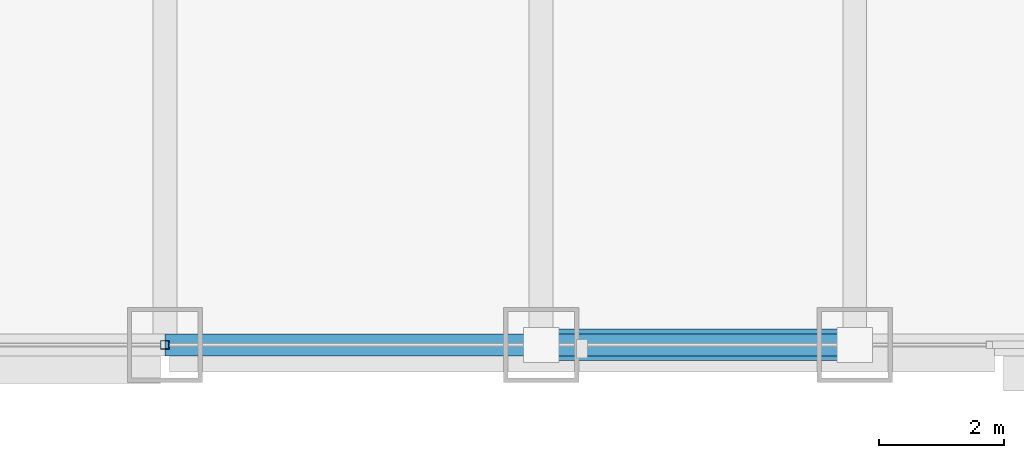
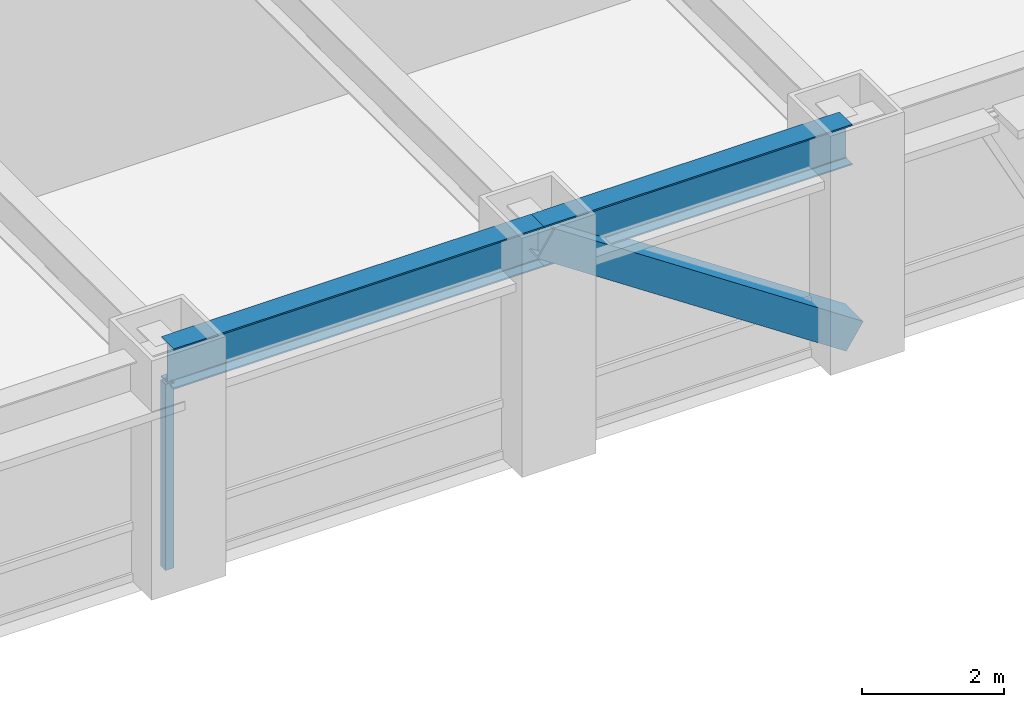
# One storey, part 4 of 32: 2 beams, 2 members, 1 element without a shape of its own.
"""IFC4 building model written with IfcOpenShell, lengths in metres."""

from ifc_helpers import new_model, si_unit, direction, frame, origin, origin_2d, place, context, subcontext, project, spatial, hollow_rectangle, i_section, extrude, source, transform, mapped, material, material_profile, profile_set, type_object, element, aggregate, save


model = new_model("IFC4")

# Units and contexts
model_context = context("Model", 3, precision=1e-05, world=origin(), true_north=direction((0.0, 1.0)))
body_context = subcontext(model_context, "Body", "Model", "MODEL_VIEW")
ifc_project = project(units=[si_unit("LENGTHUNIT", "METRE"), si_unit("AREAUNIT", "SQUARE_METRE"), si_unit("VOLUMEUNIT", "CUBIC_METRE"), si_unit("PLANEANGLEUNIT", "RADIAN"), si_unit("MASSUNIT", "GRAM", prefix="KILO")], contexts=[model_context])

# Site, building, storey
site_placement = place(None, origin())
site = spatial("IfcSite", under=ifc_project, at=site_placement, CompositionType="ELEMENT")
building_placement = place(site_placement, origin())
building = spatial("IfcBuilding", under=site, at=building_placement, Name="Khorayat Bourse Tower", CompositionType="ELEMENT")
storey_placement = place(building_placement, frame((0.0, 0.0, 95.5)))
storey = spatial("IfcBuildingStorey", under=building, at=storey_placement, Name="L21", CompositionType="ELEMENT", Elevation=95.5)

# Beams
ifc_material_1 = material(Name="Steel ASTM A992 Grade 50", Category="steel")
ifc_material_profile_1 = material_profile(ifc_material_1, i_section(OverallWidth=0.35498046875, OverallDepth=0.695068359375, WebThickness=0.015380859375, FlangeThickness=0.02490234375, FilletRadius=0.01806640625, at=origin_2d()), Name="W690X217")
ifc_profile_set_1 = profile_set([ifc_material_profile_1], Name="Steel ASTM A992 Grade 50")
beam_type = type_object("IfcBeamType", Name="BM-SPAN-690", PredefinedType="SPANDREL", material=ifc_profile_set_1)
shared_shape_1 = source(origin(), body_context, "Body", "SweptSolid", [
    extrude(i_section(OverallWidth=0.35498046875, OverallDepth=0.695068359375, WebThickness=0.015380859375, FlangeThickness=0.02490234375, FilletRadius=0.01806640625, at=origin_2d()), origin(), (0.0, 0.0, 1.0), 5.0),
])
beam_1_placement = place(storey_placement, frame((6.0, -32.0, 3.492431640625), z_axis=(1.0, 0.0, 0.0), x_axis=(0.0, 1.0, 0.0)))
element("IfcBeam", 1, at=beam_1_placement, inside=storey, type_object=beam_type, Name="L21 BM-SPAN-690 BM-L21-SPN-029", PredefinedType="SPANDREL", context=body_context, shape_type="MappedRepresentation", body=[
    mapped(shared_shape_1, transform((0.0, 0.0, 0.0), scale=1.0)),
])
shared_shape_2 = source(origin(), body_context, "Body", "SweptSolid", [
    extrude(i_section(OverallWidth=0.35498046875, OverallDepth=0.695068359375, WebThickness=0.015380859375, FlangeThickness=0.02490234375, FilletRadius=0.01806640625, at=origin_2d()), origin(), (0.0, 0.0, 1.0), 6.0),
])
beam_2_placement = place(storey_placement, frame((0.0, -32.0, 3.492431640625), z_axis=(1.0, 0.0, 0.0), x_axis=(0.0, 1.0, 0.0)))
element("IfcBeam", 2, at=beam_2_placement, inside=storey, type_object=beam_type, Name="L21 BM-SPAN-690 BM-L21-SPN-028", PredefinedType="SPANDREL", context=body_context, shape_type="MappedRepresentation", body=[
    mapped(shared_shape_2, transform((0.0, 0.0, 0.0), scale=1.0)),
])

# Member
ifc_material_2 = material(Name="Steel EN 10025-4 S460M", Category="steel")
ifc_material_profile_2 = material_profile(ifc_material_2, hollow_rectangle(XDim=0.5, YDim=0.5, WallThickness=0.028076171875, at=origin_2d()), Name="HSS 500x500x28")
ifc_profile_set_2 = profile_set([ifc_material_profile_2], Name="Steel EN 10025-4 S460M")
member_type_1 = type_object("IfcMemberType", Name="MBR-TUBE-500", PredefinedType="BRACE", material=ifc_profile_set_2)
shared_shape_3 = source(origin(), body_context, "Body", "SweptSolid", [
    extrude(hollow_rectangle(XDim=0.5, YDim=0.5, WallThickness=0.028076171875, at=origin_2d()), origin(), (0.0, 0.0, 1.0), 6.012939453125),
])
member_1_placement = place(storey_placement, frame((6.0, -32.0, 3.590087890625), z_axis=(0.831531473026, 0.0, -0.555477640745), x_axis=(0.0, 1.0, 0.0)))
element("IfcMember", 3, at=member_1_placement, inside=storey, type_object=member_type_1, Name="L21 Perimeter Tube Brace 02", PredefinedType="BRACE", context=body_context, shape_type="MappedRepresentation", body=[
    mapped(shared_shape_3, transform((0.0, 0.0, 0.0), scale=1.0)),
])

# Curtain wall, member
ifc_material_3 = material(Name="Aluminium EN AW-6063 T6", Category="aluminium")
curtain_wall_type = type_object("IfcCurtainWallType", Name="CW-SYS-02", PredefinedType="NOTDEFINED", material=ifc_material_3)
curtain_wall_placement = place(storey_placement, origin())
curtain_wall = element("IfcCurtainWall", 4, at=curtain_wall_placement, inside=storey, type_object=curtain_wall_type, Name="L21 Curtain Wall CW-L21-S1", PredefinedType="NOTDEFINED")
ifc_material_profile_3 = material_profile(ifc_material_3, hollow_rectangle(XDim=0.139892578125, YDim=0.139892578125, WallThickness=0.006103515625, at=origin_2d()), Name="ALU 140x140x6")
ifc_profile_set_3 = profile_set([ifc_material_profile_3], Name="Aluminium EN AW-6063 T6")
member_type_2 = type_object("IfcMemberType", Name="CWM-VERT-140", PredefinedType="MULLION", material=ifc_profile_set_3)
shared_shape_4 = source(origin(), body_context, "Body", "SweptSolid", [
    extrude(hollow_rectangle(XDim=0.139892578125, YDim=0.139892578125, WallThickness=0.006103515625, at=origin_2d()), origin(), (0.0, 0.0, 1.0), 3.18994140625),
])
member_2_placement = place(storey_placement, frame((0.0, -32.0, 0.0), z_axis=(0.0, 0.0, 1.0), x_axis=(0.0, 1.0, 0.0)))
member_2 = element("IfcMember", 5, at=member_2_placement, type_object=member_type_2, Name="CW-L21-S1 Vertical Mullion 2", PredefinedType="MULLION", context=body_context, shape_type="MappedRepresentation", body=[
    mapped(shared_shape_4, transform((0.0, 0.0, 0.0), scale=1.0)),
])
aggregate(curtain_wall, [member_2])

save(model, "model.ifc")
